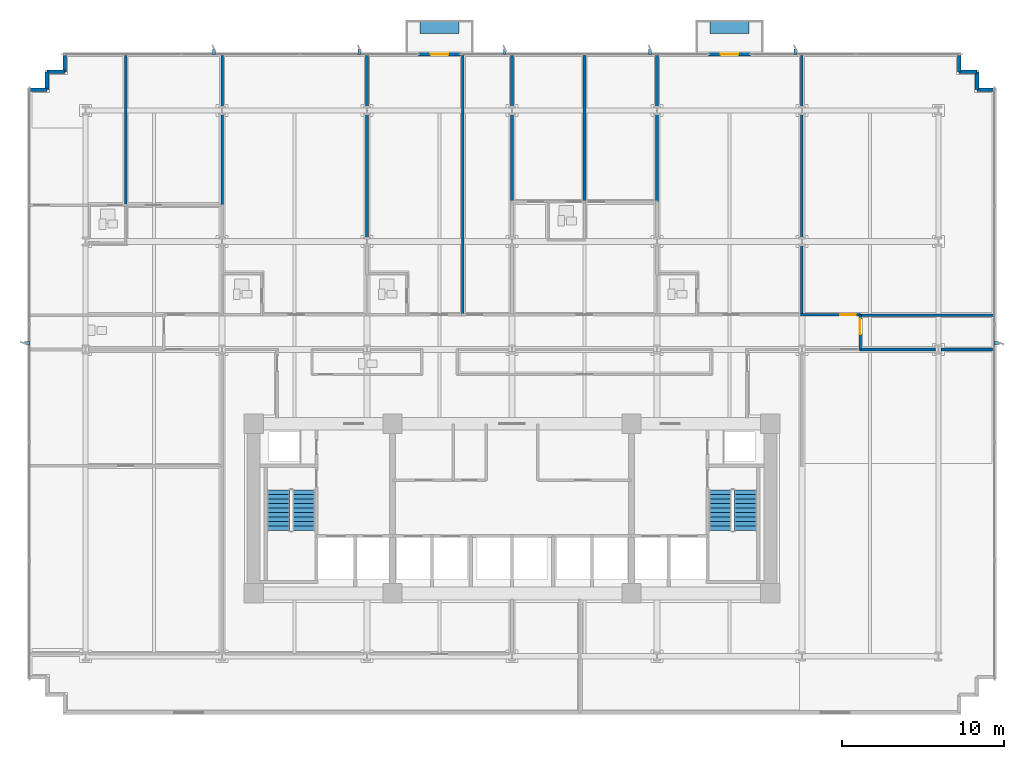
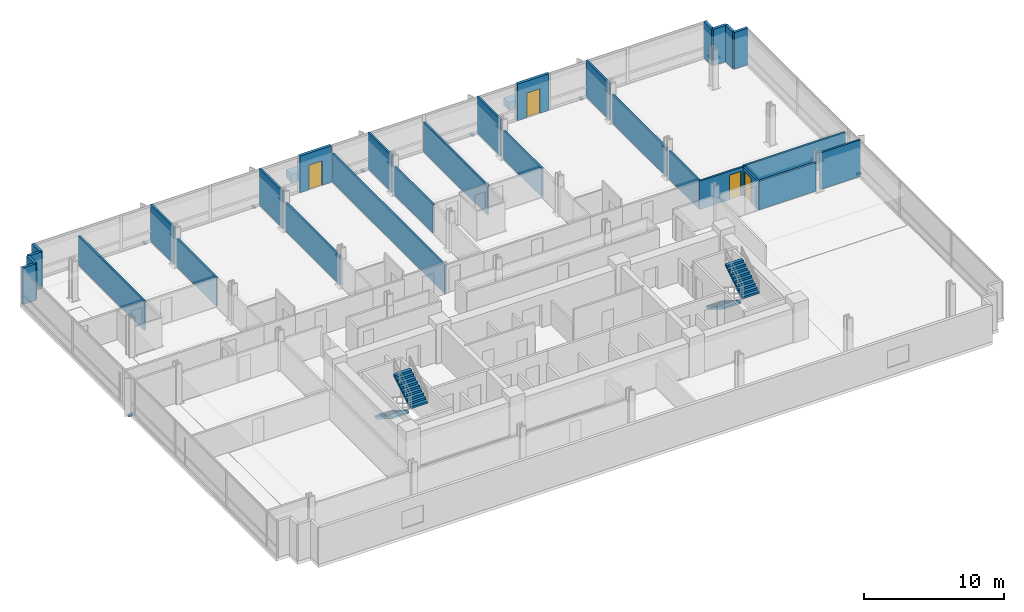
# One storey, part 11 of 15: 29 walls, 9 discrete accessories, 4 doors, 4 stair flights, 4 openings, 2 elements without a shape of their own.
"""IFC4 building model written with IfcOpenShell, lengths in metres."""

from ifc_helpers import new_model, si_unit, direction, frame, frame_2d, origin, origin_2d, place, context, subcontext, project, spatial, polyline, rectangle, outline, extrude, material, layer, layer_set, type_object, element, fill, aggregate, save


model = new_model("IFC4")

# Units and contexts
model_context = context("Model", 3, precision=1e-05, world=origin(), true_north=direction((0.0, 1.0)))
body_context = subcontext(model_context, "Body", "Model", "MODEL_VIEW")
ifc_project = project(units=[si_unit("LENGTHUNIT", "METRE"), si_unit("AREAUNIT", "SQUARE_METRE"), si_unit("VOLUMEUNIT", "CUBIC_METRE"), si_unit("PLANEANGLEUNIT", "RADIAN"), si_unit("MASSUNIT", "GRAM", prefix="KILO")], contexts=[model_context])

# Site, building, storey
site_placement = place(None, origin())
site = spatial("IfcSite", under=ifc_project, at=site_placement, CompositionType="ELEMENT")
building_placement = place(site_placement, origin())
building = spatial("IfcBuilding", under=site, at=building_placement, Name="Solmavex Isthmus Hotel", CompositionType="ELEMENT")
storey_placement = place(building_placement, frame((0.0, 0.0, 33.300048828125)))
storey = spatial("IfcBuildingStorey", under=building, at=storey_placement, Name="L08", CompositionType="ELEMENT", Elevation=33.300048828125)

# Wall, opening, door
ifc_material_1 = material(Name="Precast Concrete C40/50", Category="concrete")
ifc_layer_1 = layer(ifc_material_1, 0.25)
ifc_layer_set_1 = layer_set([ifc_layer_1], Name="Precast Concrete C40/50")
wall_type_1 = type_object("IfcWallType", Name="EW-TWR-250", PredefinedType="STANDARD", material=ifc_layer_set_1)
wall_1_placement = place(storey_placement, frame((-5.7880859375, 20.3798828125, 0.0), z_axis=(0.0, 0.0, 1.0), x_axis=(1.0, 0.0, 0.0)))
wall_1 = element("IfcWall", 1, at=wall_1_placement, inside=storey, type_object=wall_type_1, Name="Exterior Balcony Door Wall L08-2", PredefinedType="STANDARD", context=body_context, shape_type="SweptSolid", body=[
    extrude(rectangle(XDim=2.60009765625, YDim=0.239990234375, at=frame_2d((1.300048828125, 0.0))), origin(), (0.0, 0.0, 1.0), 3.18994140625),
])
opening_1_placement = place(wall_1_placement, frame((0.75, 0.0, 0.0)))
opening_1 = element("IfcOpeningElement", 2, at=opening_1_placement, cuts=wall_1, Name="Opening ED-02", PredefinedType="OPENING", context=body_context, shape_type="SweptSolid", body=[
    extrude(rectangle(XDim=1.10009765625, YDim=2.14990234375, at=frame_2d((0.550048828125, 1.074951171875))), frame((0.0, 0.1298828125, 0.0), z_axis=(0.0, -1.0, 0.0), x_axis=(1.0, 0.0, 0.0)), (0.0, 0.0, 1.0), 0.260009765625),
])
ifc_material_2 = material(Name="Aluminium alloy 6063-T6", Category="aluminium")
door_type_1 = type_object("IfcDoorType", Name="EDR-BALC-1100", OperationType="NOTDEFINED", PredefinedType="DOOR", material=ifc_material_2)
door_1_placement = place(opening_1_placement, origin())
door_1 = element("IfcDoor", 3, at=door_1_placement, inside=storey, type_object=door_type_1, Name="Balcony & Terrace Glazed Door L08-2", OperationType="SINGLE_SWING_RIGHT", OverallHeight=2.14990234375, OverallWidth=1.10009765625, PredefinedType="DOOR", context=body_context, shape_type="SweptSolid", body=[
    extrude(rectangle(XDim=1.10009765625, YDim=2.14990234375, at=frame_2d((0.550048828125, 1.074951171875))), frame((0.0, 0.02490234375, 0.0), z_axis=(0.0, -1.0, 0.0), x_axis=(1.0, 0.0, 0.0)), (0.0, 0.0, 1.0), 0.050048828125),
])
fill(opening_1, door_1)

wall_2_placement = place(storey_placement, frame((12.1640625, 20.3798828125, 0.0), z_axis=(0.0, 0.0, 1.0), x_axis=(1.0, 0.0, 0.0)))
wall_2 = element("IfcWall", 4, at=wall_2_placement, inside=storey, type_object=wall_type_1, Name="Exterior Balcony Door Wall L08-3", PredefinedType="STANDARD", context=body_context, shape_type="SweptSolid", body=[
    extrude(rectangle(XDim=2.599853515625, YDim=0.239990234375, at=frame_2d((1.2998046875, 0.0))), origin(), (0.0, 0.0, 1.0), 3.18994140625),
])
opening_2_placement = place(wall_2_placement, frame((0.75, 0.0, 0.0)))
opening_2 = element("IfcOpeningElement", 5, at=opening_2_placement, cuts=wall_2, Name="Opening ED-02", PredefinedType="OPENING", context=body_context, shape_type="SweptSolid", body=[
    extrude(rectangle(XDim=1.10009765625, YDim=2.14990234375, at=frame_2d((0.550048828125, 1.074951171875))), frame((0.0, 0.1298828125, 0.0), z_axis=(0.0, -1.0, 0.0), x_axis=(1.0, 0.0, 0.0)), (0.0, 0.0, 1.0), 0.260009765625),
])
door_2_placement = place(opening_2_placement, origin())
door_2 = element("IfcDoor", 6, at=door_2_placement, inside=storey, type_object=door_type_1, Name="Balcony & Terrace Glazed Door L08-3", OperationType="SINGLE_SWING_LEFT", OverallHeight=2.14990234375, OverallWidth=1.10009765625, PredefinedType="DOOR", context=body_context, shape_type="SweptSolid", body=[
    extrude(rectangle(XDim=1.10009765625, YDim=2.14990234375, at=frame_2d((0.550048828125, 1.074951171875))), frame((0.0, 0.02490234375, 0.0), z_axis=(0.0, -1.0, 0.0), x_axis=(1.0, 0.0, 0.0)), (0.0, 0.0, 1.0), 0.050048828125),
])
fill(opening_2, door_2)

# Walls
wall_3_placement = place(storey_placement, frame((-29.889892578125, 18.18994140625, 0.0), z_axis=(0.0, 0.0, 1.0), x_axis=(1.0, 0.0, 0.0)))
element("IfcWall", 7, at=wall_3_placement, inside=storey, type_object=wall_type_1, Name="Serrated Corner Facade Panel L08-06", PredefinedType="STANDARD", context=body_context, shape_type="SweptSolid", body=[
    extrude(rectangle(XDim=1.099853515625, YDim=0.219970703125, at=frame_2d((0.5498046875, 0.0))), origin(), (0.0, 0.0, 1.0), 3.18994140625),
])
for number, where, z_axis, x_axis, name in (
    (8, (-28.7900390625, 18.18994140625, 0.0), (0.0, 0.0, 1.0), (0.0, 1.0, 0.0), "Serrated Corner Facade Panel L08-07"),
    (9, (-28.7900390625, 19.2900390625, 0.0), (0.0, 0.0, 1.0), (1.0, 0.0, 0.0), "Serrated Corner Facade Panel L08-08"),
):
    element("IfcWall", number, at=place(storey_placement, frame(where, z_axis=z_axis, x_axis=x_axis)), inside=storey, type_object=wall_type_1, Name=name, PredefinedType="STANDARD", context=body_context, shape_type="SweptSolid", body=[
        extrude(rectangle(XDim=1.10009765625, YDim=0.219970703125, at=frame_2d((0.550048828125, 0.0))), origin(), (0.0, 0.0, 1.0), 3.18994140625),
    ])
for number, where, z_axis, x_axis, name in (
    (10, (-27.68994140625, 19.2900390625, 0.0), (0.0, 0.0, 1.0), (0.0, 1.0, 0.0), "Serrated Corner Facade Panel L08-09"),
    (11, (27.68994140625, 20.389892578125, 0.0), (0.0, 0.0, 1.0), (0.0, -1.0, 0.0), "Serrated Corner Facade Panel L08-11"),
):
    element("IfcWall", number, at=place(storey_placement, frame(where, z_axis=z_axis, x_axis=x_axis)), inside=storey, type_object=wall_type_1, Name=name, PredefinedType="STANDARD", context=body_context, shape_type="SweptSolid", body=[
        extrude(rectangle(XDim=1.099853515625, YDim=0.219970703125, at=frame_2d((0.5498046875, 0.0))), origin(), (0.0, 0.0, 1.0), 3.18994140625),
    ])
for number, where, z_axis, x_axis, name in (
    (12, (27.68994140625, 19.2900390625, 0.0), (0.0, 0.0, 1.0), (1.0, 0.0, 0.0), "Serrated Corner Facade Panel L08-12"),
    (13, (28.7900390625, 19.2900390625, 0.0), (0.0, 0.0, 1.0), (0.0, -1.0, 0.0), "Serrated Corner Facade Panel L08-13"),
):
    element("IfcWall", number, at=place(storey_placement, frame(where, z_axis=z_axis, x_axis=x_axis)), inside=storey, type_object=wall_type_1, Name=name, PredefinedType="STANDARD", context=body_context, shape_type="SweptSolid", body=[
        extrude(rectangle(XDim=1.10009765625, YDim=0.219970703125, at=frame_2d((0.550048828125, 0.0))), origin(), (0.0, 0.0, 1.0), 3.18994140625),
    ])
wall_4_placement = place(storey_placement, frame((28.7900390625, 18.18994140625, 0.0), z_axis=(0.0, 0.0, 1.0), x_axis=(1.0, 0.0, 0.0)))
element("IfcWall", 14, at=wall_4_placement, inside=storey, type_object=wall_type_1, Name="Serrated Corner Facade Panel L08-14", PredefinedType="STANDARD", context=body_context, shape_type="SweptSolid", body=[
    extrude(rectangle(XDim=1.099853515625, YDim=0.219970703125, at=frame_2d((0.5498046875, 0.0))), origin(), (0.0, 0.0, 1.0), 3.18994140625),
])
ifc_material_3 = material(Name="Gypsum plasterboard lining", Category="gypsum")
ifc_layer_2 = layer(ifc_material_3, 0.159912109375)
ifc_layer_set_2 = layer_set([ifc_layer_2], Name="Gypsum plasterboard lining")
wall_type_2 = type_object("IfcWallType", Name="IW-COMP-160", PredefinedType="PARTITIONING", material=ifc_layer_set_2)
wall_5_placement = place(storey_placement, frame((-23.916015625, 20.419921875, 0.0), z_axis=(0.0, 0.0, 1.0), x_axis=(0.0, -1.0, 0.0)))
element("IfcWall", 15, at=wall_5_placement, inside=storey, type_object=wall_type_2, Name="Interior Partition Wall W-L08-P042", PredefinedType="PARTITIONING", context=body_context, shape_type="SweptSolid", body=[
    extrude(rectangle(XDim=9.421875, YDim=0.159912109375, at=frame_2d((4.7109375, 0.0))), origin(), (0.0, 0.0, 1.0), 2.55322265625),
])
wall_6_placement = place(storey_placement, frame((-17.951904296875, 16.72509765625, 0.0), z_axis=(0.0, 0.0, 1.0), x_axis=(0.0, -1.0, 0.0)))
element("IfcWall", 16, at=wall_6_placement, inside=storey, type_object=wall_type_2, Name="Interior Partition Wall W-L08-P044", PredefinedType="PARTITIONING", context=body_context, shape_type="SweptSolid", body=[
    extrude(rectangle(XDim=5.72705078125, YDim=0.159912109375, at=frame_2d((2.863525390625, 0.0))), origin(), (0.0, 0.0, 1.0), 2.4794921875),
])
wall_7_placement = place(storey_placement, frame((-17.951904296875, 20.419921875, 0.0), z_axis=(0.0, 0.0, 1.0), x_axis=(0.0, -1.0, 0.0)))
element("IfcWall", 17, at=wall_7_placement, inside=storey, type_object=wall_type_2, Name="Interior Partition Wall W-L08-P045", PredefinedType="PARTITIONING", context=body_context, shape_type="SweptSolid", body=[
    extrude(rectangle(XDim=3.344970703125, YDim=0.159912109375, at=frame_2d((1.67236328125, 0.0))), origin(), (0.0, 0.0, 1.0), 3.18994140625),
])
wall_8_placement = place(storey_placement, frame((-8.97607421875, 16.72509765625, 0.0), z_axis=(0.0, 0.0, 1.0), x_axis=(0.0, -1.0, 0.0)))
element("IfcWall", 18, at=wall_8_placement, inside=storey, type_object=wall_type_2, Name="Interior Partition Wall W-L08-P049", PredefinedType="PARTITIONING", context=body_context, shape_type="SweptSolid", body=[
    extrude(rectangle(XDim=7.76220703125, YDim=0.159912109375, at=frame_2d((3.881103515625, 0.0))), origin(), (0.0, 0.0, 1.0), 2.4794921875),
])
wall_9_placement = place(storey_placement, frame((-8.97607421875, 20.419921875, 0.0), z_axis=(0.0, 0.0, 1.0), x_axis=(0.0, -1.0, 0.0)))
element("IfcWall", 19, at=wall_9_placement, inside=storey, type_object=wall_type_2, Name="Interior Partition Wall W-L08-P050", PredefinedType="PARTITIONING", context=body_context, shape_type="SweptSolid", body=[
    extrude(rectangle(XDim=3.344970703125, YDim=0.159912109375, at=frame_2d((1.67236328125, 0.0))), origin(), (0.0, 0.0, 1.0), 3.18994140625),
])
wall_10_placement = place(storey_placement, frame((-3.0380859375, 20.300048828125, 0.0), z_axis=(0.0, 0.0, 1.0), x_axis=(0.0, -1.0, 0.0)))
element("IfcWall", 20, at=wall_10_placement, inside=storey, type_object=wall_type_2, Name="Interior Partition Wall W-L08-P054", PredefinedType="PARTITIONING", context=body_context, shape_type="SweptSolid", body=[
    extrude(rectangle(XDim=16.090087890625, YDim=0.159912109375, at=frame_2d((8.044921875, 0.0))), origin(), (0.0, 0.0, 1.0), 2.4794921875),
])
wall_11_placement = place(storey_placement, frame((0.0, 16.72509765625, 0.0), z_axis=(0.0, 0.0, 1.0), x_axis=(0.0, -1.0, 0.0)))
element("IfcWall", 21, at=wall_11_placement, inside=storey, type_object=wall_type_2, Name="Interior Partition Wall W-L08-P057", PredefinedType="PARTITIONING", context=body_context, shape_type="SweptSolid", body=[
    extrude(rectangle(XDim=5.569091796875, YDim=0.159912109375, at=frame_2d((2.78466796875, 0.0))), origin(), (0.0, 0.0, 1.0), 2.4794921875),
])
wall_12_placement = place(storey_placement, frame((0.0, 20.419921875, 0.0), z_axis=(0.0, 0.0, 1.0), x_axis=(0.0, -1.0, 0.0)))
element("IfcWall", 22, at=wall_12_placement, inside=storey, type_object=wall_type_2, Name="Interior Partition Wall W-L08-P058", PredefinedType="PARTITIONING", context=body_context, shape_type="SweptSolid", body=[
    extrude(rectangle(XDim=3.344970703125, YDim=0.159912109375, at=frame_2d((1.67236328125, 0.0))), origin(), (0.0, 0.0, 1.0), 3.18994140625),
])
wall_13_placement = place(storey_placement, frame((4.488037109375, 20.300048828125, 0.0), z_axis=(0.0, 0.0, 1.0), x_axis=(0.0, -1.0, 0.0)))
element("IfcWall", 23, at=wall_13_placement, inside=storey, type_object=wall_type_2, Name="Interior Partition Wall W-L08-P067", PredefinedType="PARTITIONING", context=body_context, shape_type="SweptSolid", body=[
    extrude(rectangle(XDim=9.10205078125, YDim=0.159912109375, at=frame_2d((4.551025390625, 0.0))), origin(), (0.0, 0.0, 1.0), 2.55322265625),
])
wall_14_placement = place(storey_placement, frame((8.97607421875, 16.72509765625, 0.0), z_axis=(0.0, 0.0, 1.0), x_axis=(0.0, -1.0, 0.0)))
element("IfcWall", 24, at=wall_14_placement, inside=storey, type_object=wall_type_2, Name="Interior Partition Wall W-L08-P069", PredefinedType="PARTITIONING", context=body_context, shape_type="SweptSolid", body=[
    extrude(rectangle(XDim=5.527099609375, YDim=0.159912109375, at=frame_2d((2.763671875, 0.0))), origin(), (0.0, 0.0, 1.0), 2.4794921875),
])
wall_15_placement = place(storey_placement, frame((8.97607421875, 20.419921875, 0.0), z_axis=(0.0, 0.0, 1.0), x_axis=(0.0, -1.0, 0.0)))
element("IfcWall", 25, at=wall_15_placement, inside=storey, type_object=wall_type_2, Name="Interior Partition Wall W-L08-P070", PredefinedType="PARTITIONING", context=body_context, shape_type="SweptSolid", body=[
    extrude(rectangle(XDim=3.344970703125, YDim=0.159912109375, at=frame_2d((1.67236328125, 0.0))), origin(), (0.0, 0.0, 1.0), 3.18994140625),
])
wall_16_placement = place(storey_placement, frame((17.951904296875, 8.613037109375, 0.0), z_axis=(0.0, 0.0, 1.0), x_axis=(0.0, -1.0, 0.0)))
element("IfcWall", 26, at=wall_16_placement, inside=storey, type_object=wall_type_2, Name="Interior Partition Wall W-L08-P073", PredefinedType="PARTITIONING", context=body_context, shape_type="SweptSolid", body=[
    extrude(rectangle(XDim=4.403076171875, YDim=0.159912109375, at=frame_2d((2.20166015625, 0.0))), origin(), (0.0, 0.0, 1.0), 2.4794921875),
])
wall_17_placement = place(storey_placement, frame((17.951904296875, 16.72509765625, 0.0), z_axis=(0.0, 0.0, 1.0), x_axis=(0.0, -1.0, 0.0)))
element("IfcWall", 27, at=wall_17_placement, inside=storey, type_object=wall_type_2, Name="Interior Partition Wall W-L08-P074", PredefinedType="PARTITIONING", context=body_context, shape_type="SweptSolid", body=[
    extrude(rectangle(XDim=7.76220703125, YDim=0.159912109375, at=frame_2d((3.881103515625, 0.0))), origin(), (0.0, 0.0, 1.0), 2.4794921875),
])
wall_18_placement = place(storey_placement, frame((17.951904296875, 20.419921875, 0.0), z_axis=(0.0, 0.0, 1.0), x_axis=(0.0, -1.0, 0.0)))
element("IfcWall", 28, at=wall_18_placement, inside=storey, type_object=wall_type_2, Name="Interior Partition Wall W-L08-P075", PredefinedType="PARTITIONING", context=body_context, shape_type="SweptSolid", body=[
    extrude(rectangle(XDim=3.344970703125, YDim=0.159912109375, at=frame_2d((1.67236328125, 0.0))), origin(), (0.0, 0.0, 1.0), 3.18994140625),
])
wall_19_placement = place(storey_placement, frame((29.919921875, 4.22998046875, 0.0), z_axis=(0.0, 0.0, 1.0), x_axis=(-1.0, 0.0, 0.0)))
element("IfcWall", 29, at=wall_19_placement, inside=storey, type_object=wall_type_2, Name="Interior Partition Wall W-L08-P076", PredefinedType="PARTITIONING", context=body_context, shape_type="SweptSolid", body=[
    extrude(rectangle(XDim=8.407958984375, YDim=0.159912109375, at=frame_2d((4.2041015625, 0.0))), origin(), (0.0, 0.0, 1.0), 2.55322265625),
])
wall_20_placement = place(storey_placement, frame((26.22509765625, 2.10009765625, 0.0), z_axis=(0.0, 0.0, 1.0), x_axis=(-1.0, 0.0, 0.0)))
element("IfcWall", 30, at=wall_20_placement, inside=storey, type_object=wall_type_2, Name="Interior Partition Wall W-L08-P079", PredefinedType="PARTITIONING", context=body_context, shape_type="SweptSolid", body=[
    extrude(rectangle(XDim=4.713134765625, YDim=0.159912109375, at=frame_2d((2.3564453125, 0.0))), origin(), (0.0, 0.0, 1.0), 2.4794921875),
])
wall_21_placement = place(storey_placement, frame((29.919921875, 2.10009765625, 0.0), z_axis=(0.0, 0.0, 1.0), x_axis=(-1.0, 0.0, 0.0)))
element("IfcWall", 31, at=wall_21_placement, inside=storey, type_object=wall_type_2, Name="Interior Partition Wall W-L08-P080", PredefinedType="PARTITIONING", context=body_context, shape_type="SweptSolid", body=[
    extrude(rectangle(XDim=3.344970703125, YDim=0.159912109375, at=frame_2d((1.67236328125, 0.0))), origin(), (0.0, 0.0, 1.0), 3.18994140625),
])

# Wall, opening, door
ifc_layer_3 = layer(ifc_material_3, 0.14990234375)
ifc_layer_set_3 = layer_set([ifc_layer_3], Name="Gypsum plasterboard lining")
wall_type_3 = type_object("IfcWallType", Name="IW-CORR-150", PredefinedType="PARTITIONING", material=ifc_layer_set_3)
wall_22_placement = place(storey_placement, frame((17.8701171875, 4.25, 0.0), z_axis=(0.0, 0.0, 1.0), x_axis=(1.0, 0.0, 0.0)))
wall_22 = element("IfcWall", 32, at=wall_22_placement, inside=storey, type_object=wall_type_3, Name="Interior Partition Wall W-L08-P010", PredefinedType="PARTITIONING", context=body_context, shape_type="SweptSolid", body=[
    extrude(rectangle(XDim=3.721923828125, YDim=0.14990234375, at=frame_2d((1.86083984375, 0.0))), origin(), (0.0, 0.0, 1.0), 2.4794921875),
])
opening_3_placement = place(wall_22_placement, frame((2.456787109375, 0.0, 0.0)))
opening_3 = element("IfcOpeningElement", 33, at=opening_3_placement, cuts=wall_22, Name="Opening ID-C095", PredefinedType="OPENING", context=body_context, shape_type="SweptSolid", body=[
    extrude(rectangle(XDim=0.949951171875, YDim=2.14990234375, at=frame_2d((0.47509765625, 1.074951171875))), frame((0.0, 0.0849609375, 0.0), z_axis=(0.0, -1.0, 0.0), x_axis=(1.0, 0.0, 0.0)), (0.0, 0.0, 1.0), 0.169921875),
])
ifc_material_4 = material(Name="Hardwood timber", Category="wood")
door_type_2 = type_object("IfcDoorType", Name="IDR-FD60-0950", OperationType="NOTDEFINED", PredefinedType="DOOR", material=ifc_material_4)
door_3_placement = place(opening_3_placement, origin())
door_3 = element("IfcDoor", 34, at=door_3_placement, inside=storey, type_object=door_type_2, Name="Corporate Briefing Office Door L08-16", OperationType="SINGLE_SWING_RIGHT", OverallHeight=2.14990234375, OverallWidth=0.949951171875, PredefinedType="DOOR", context=body_context, shape_type="SweptSolid", body=[
    extrude(rectangle(XDim=0.949951171875, YDim=2.14990234375, at=frame_2d((0.47509765625, 1.074951171875))), frame((0.0, 0.02490234375, 0.0), z_axis=(0.0, -1.0, 0.0), x_axis=(1.0, 0.0, 0.0)), (0.0, 0.0, 1.0), 0.050048828125),
])
fill(opening_3, door_3)

wall_23_placement = place(storey_placement, frame((21.552001953125, 4.27001953125, 0.0), z_axis=(0.0, 0.0, 1.0), x_axis=(0.0, -1.0, 0.0)))
wall_23 = element("IfcWall", 35, at=wall_23_placement, inside=storey, type_object=wall_type_3, Name="Interior Partition Wall W-L08-P018", PredefinedType="PARTITIONING", context=body_context, shape_type="SweptSolid", body=[
    extrude(rectangle(XDim=2.2099609375, YDim=0.14990234375, at=frame_2d((1.10498046875, 0.0))), origin(), (0.0, 0.0, 1.0), 2.4794921875),
])
opening_4_placement = place(wall_23_placement, frame((0.272216796875, 0.0, 0.0)))
opening_4 = element("IfcOpeningElement", 36, at=opening_4_placement, cuts=wall_23, Name="Opening ID-C095", PredefinedType="OPENING", context=body_context, shape_type="SweptSolid", body=[
    extrude(rectangle(XDim=0.949951171875, YDim=2.14990234375, at=frame_2d((0.47509765625, 1.074951171875))), frame((0.0, 0.0849609375, 0.0), z_axis=(0.0, -1.0, 0.0), x_axis=(1.0, 0.0, 0.0)), (0.0, 0.0, 1.0), 0.169921875),
])
door_4_placement = place(opening_4_placement, origin())
door_4 = element("IfcDoor", 37, at=door_4_placement, inside=storey, type_object=door_type_2, Name="Club Reading Library Door L08-19", OperationType="SINGLE_SWING_LEFT", OverallHeight=2.14990234375, OverallWidth=0.949951171875, PredefinedType="DOOR", context=body_context, shape_type="SweptSolid", body=[
    extrude(rectangle(XDim=0.949951171875, YDim=2.14990234375, at=frame_2d((0.47509765625, 1.074951171875))), frame((0.0, 0.02490234375, 0.0), z_axis=(0.0, -1.0, 0.0), x_axis=(1.0, 0.0, 0.0)), (0.0, 0.0, 1.0), 0.050048828125),
])
fill(opening_4, door_4)

# Stair, stair flights
ifc_material_5 = material(Name="Concrete C40/50", Category="concrete")
stair_type_1 = type_object("IfcStairType", Name="STR-ST-1", PredefinedType="HALF_TURN_STAIR", material=ifc_material_5)
stair_1_placement = place(storey_placement, origin())
stair_1 = element("IfcStair", 38, at=stair_1_placement, inside=storey, type_object=stair_type_1, Name="L08 Protected Exit Stair ST-1", PredefinedType="HALF_TURN_STAIR")
stair_flight_type_1 = type_object("IfcStairFlightType", Name="SFL-ST-1", PredefinedType="STRAIGHT", material=ifc_material_5)
stair_flight_1_placement = place(storey_placement, frame((-14.449951171875, -6.60009765625, 0.0), z_axis=(0.0, 0.0, 1.0), x_axis=(0.0, -1.0, 0.0)))
stair_flight_1 = element("IfcStairFlight", 39, at=stair_flight_1_placement, type_object=stair_flight_type_1, Name="ST-1 flight 1", NumberOfRisers=10, NumberOfTreads=9, PredefinedType="STRAIGHT", RiserHeight=0.1725, TreadLength=0.28, context=body_context, shape_type="SweptSolid", body=[
    extrude(outline(polyline([(0.0, 0.0), (0.0, 0.172607421875), (0.280029296875, 0.172607421875), (0.280029296875, 0.344970703125), (0.56005859375, 0.344970703125), (0.56005859375, 0.517578125), (0.840087890625, 0.517578125), (0.840087890625, 0.68994140625), (1.1201171875, 0.68994140625), (1.1201171875, 0.862548828125), (1.39990234375, 0.862548828125), (1.39990234375, 1.034912109375), (1.679931640625, 1.034912109375), (1.679931640625, 1.20751953125), (1.9599609375, 1.20751953125), (1.9599609375, 1.3798828125), (2.239990234375, 1.3798828125), (2.239990234375, 1.552490234375), (2.52001953125, 1.552490234375), (2.52001953125, 1.72509765625), (2.52001953125, 1.37646484375), (0.285888671875, 0.0), (0.0, 0.0)])), frame((0.0, 0.699951171875, 0.0), z_axis=(0.0, -1.0, 0.0), x_axis=(1.0, 0.0, 0.0)), (0.0, 0.0, 1.0), 1.39990234375),
])
stair_flight_2_placement = place(storey_placement, frame((-12.89990234375, -9.1201171875, 1.724853515625), z_axis=(0.0, 0.0, 1.0), x_axis=(0.0, 1.0, 0.0)))
stair_flight_2 = element("IfcStairFlight", 40, at=stair_flight_2_placement, type_object=stair_flight_type_1, Name="ST-1 flight 2", NumberOfRisers=10, NumberOfTreads=9, PredefinedType="STRAIGHT", RiserHeight=0.1725, TreadLength=0.28, context=body_context, shape_type="SweptSolid", body=[
    extrude(outline(polyline([(0.0, 0.0), (0.0, 0.172607421875), (0.280029296875, 0.172607421875), (0.280029296875, 0.344970703125), (0.56005859375, 0.344970703125), (0.56005859375, 0.517578125), (0.840087890625, 0.517578125), (0.840087890625, 0.68994140625), (1.1201171875, 0.68994140625), (1.1201171875, 0.862548828125), (1.39990234375, 0.862548828125), (1.39990234375, 1.034912109375), (1.679931640625, 1.034912109375), (1.679931640625, 1.20751953125), (1.9599609375, 1.20751953125), (1.9599609375, 1.3798828125), (2.239990234375, 1.3798828125), (2.239990234375, 1.552490234375), (2.52001953125, 1.552490234375), (2.52001953125, 1.72509765625), (2.52001953125, 1.37646484375), (0.285888671875, 0.0), (0.0, 0.0)])), frame((0.0, 0.699951171875, 0.0), z_axis=(0.0, -1.0, 0.0), x_axis=(1.0, 0.0, 0.0)), (0.0, 0.0, 1.0), 1.39990234375),
])
aggregate(stair_1, [stair_flight_1, stair_flight_2])

stair_type_2 = type_object("IfcStairType", Name="STR-ST-2", PredefinedType="HALF_TURN_STAIR", material=ifc_material_5)
stair_2_placement = place(storey_placement, origin())
stair_2 = element("IfcStair", 41, at=stair_2_placement, inside=storey, type_object=stair_type_2, Name="L08 Protected Exit Stair ST-2", PredefinedType="HALF_TURN_STAIR")
stair_flight_type_2 = type_object("IfcStairFlightType", Name="SFL-ST-2", PredefinedType="STRAIGHT", material=ifc_material_5)
stair_flight_3_placement = place(storey_placement, frame((12.89990234375, -6.60009765625, 0.0), z_axis=(0.0, 0.0, 1.0), x_axis=(0.0, -1.0, 0.0)))
stair_flight_3 = element("IfcStairFlight", 42, at=stair_flight_3_placement, type_object=stair_flight_type_2, Name="ST-2 flight 1", NumberOfRisers=10, NumberOfTreads=9, PredefinedType="STRAIGHT", RiserHeight=0.1725, TreadLength=0.28, context=body_context, shape_type="SweptSolid", body=[
    extrude(outline(polyline([(0.0, 0.0), (0.0, 0.172607421875), (0.280029296875, 0.172607421875), (0.280029296875, 0.344970703125), (0.56005859375, 0.344970703125), (0.56005859375, 0.517578125), (0.840087890625, 0.517578125), (0.840087890625, 0.68994140625), (1.1201171875, 0.68994140625), (1.1201171875, 0.862548828125), (1.39990234375, 0.862548828125), (1.39990234375, 1.034912109375), (1.679931640625, 1.034912109375), (1.679931640625, 1.20751953125), (1.9599609375, 1.20751953125), (1.9599609375, 1.3798828125), (2.239990234375, 1.3798828125), (2.239990234375, 1.552490234375), (2.52001953125, 1.552490234375), (2.52001953125, 1.72509765625), (2.52001953125, 1.37646484375), (0.285888671875, 0.0), (0.0, 0.0)])), frame((0.0, 0.699951171875, 0.0), z_axis=(0.0, -1.0, 0.0), x_axis=(1.0, 0.0, 0.0)), (0.0, 0.0, 1.0), 1.39990234375),
])
stair_flight_4_placement = place(storey_placement, frame((14.449951171875, -9.1201171875, 1.724853515625), z_axis=(0.0, 0.0, 1.0), x_axis=(0.0, 1.0, 0.0)))
stair_flight_4 = element("IfcStairFlight", 43, at=stair_flight_4_placement, type_object=stair_flight_type_2, Name="ST-2 flight 2", NumberOfRisers=10, NumberOfTreads=9, PredefinedType="STRAIGHT", RiserHeight=0.1725, TreadLength=0.28, context=body_context, shape_type="SweptSolid", body=[
    extrude(outline(polyline([(0.0, 0.0), (0.0, 0.172607421875), (0.280029296875, 0.172607421875), (0.280029296875, 0.344970703125), (0.56005859375, 0.344970703125), (0.56005859375, 0.517578125), (0.840087890625, 0.517578125), (0.840087890625, 0.68994140625), (1.1201171875, 0.68994140625), (1.1201171875, 0.862548828125), (1.39990234375, 0.862548828125), (1.39990234375, 1.034912109375), (1.679931640625, 1.034912109375), (1.679931640625, 1.20751953125), (1.9599609375, 1.20751953125), (1.9599609375, 1.3798828125), (2.239990234375, 1.3798828125), (2.239990234375, 1.552490234375), (2.52001953125, 1.552490234375), (2.52001953125, 1.72509765625), (2.52001953125, 1.37646484375), (0.285888671875, 0.0), (0.0, 0.0)])), frame((0.0, 0.699951171875, 0.0), z_axis=(0.0, -1.0, 0.0), x_axis=(1.0, 0.0, 0.0)), (0.0, 0.0, 1.0), 1.39990234375),
])
aggregate(stair_2, [stair_flight_3, stair_flight_4])

# Discrete accessories
ifc_material_6 = material(Name="Steel ASTM A572 Grade 50", Category="steel")
discrete_accessory_type_1 = type_object("IfcDiscreteAccessoryType", Name="ACC-BRK-FIN", PredefinedType="BRACKET", material=ifc_material_6)
for number, where, z_axis, x_axis, name in (
    (44, (-18.449951171875, 20.52001953125, -0.169921875), (0.0, 0.0, 1.0), (0.0, 1.0, 0.0), "Facade Fin Support Bracket L08-N1"),
    (45, (-9.449951171875, 20.52001953125, -0.169921875), (0.0, 0.0, 1.0), (0.0, 1.0, 0.0), "Facade Fin Support Bracket L08-N2"),
    (46, (-0.449951171875, 20.52001953125, -0.169921875), (0.0, 0.0, 1.0), (0.0, 1.0, 0.0), "Facade Fin Support Bracket L08-N3"),
    (47, (8.550048828125, 20.52001953125, -0.169921875), (0.0, 0.0, 1.0), (0.0, 1.0, 0.0), "Facade Fin Support Bracket L08-N4"),
    (48, (17.550048828125, 20.52001953125, -0.169921875), (0.0, 0.0, 1.0), (0.0, 1.0, 0.0), "Facade Fin Support Bracket L08-N5"),
    (49, (-30.02001953125, 2.5, -0.169921875), (0.0, 0.0, 1.0), (-1.0, 0.0, 0.0), "Facade Fin Support Bracket L08-W1"),
    (50, (30.02001953125, 2.5, -0.169921875), (0.0, 0.0, 1.0), (1.0, 0.0, 0.0), "Facade Fin Support Bracket L08-E1"),
):
    element("IfcDiscreteAccessory", number, at=place(storey_placement, frame(where, z_axis=z_axis, x_axis=x_axis)), inside=storey, type_object=discrete_accessory_type_1, Name=name, PredefinedType="BRACKET", context=body_context, shape_type="SweptSolid", body=[
        extrude(rectangle(XDim=0.340087890625, YDim=0.179931640625, at=origin_2d()), origin(), (0.0, 0.0, 1.0), 0.159912109375),
    ])
discrete_accessory_type_2 = type_object("IfcDiscreteAccessoryType", Name="ACC-PLN-BALC", PredefinedType="USERDEFINED", material=ifc_material_1)
for number, where, z_axis, x_axis, name in (
    (51, (-4.488037109375, 22.050048828125, 0.0), (0.0, 0.0, 1.0), (1.0, 0.0, 0.0), "Tree-Balcony Architectural Planter L08-B1"),
    (52, (13.464111328125, 22.050048828125, 0.0), (0.0, 0.0, 1.0), (1.0, 0.0, 0.0), "Tree-Balcony Architectural Planter L08-B2"),
):
    element("IfcDiscreteAccessory", number, at=place(storey_placement, frame(where, z_axis=z_axis, x_axis=x_axis)), inside=storey, type_object=discrete_accessory_type_2, Name=name, ObjectType="PLANTER", PredefinedType="USERDEFINED", context=body_context, shape_type="SweptSolid", body=[
        extrude(rectangle(XDim=2.39990234375, YDim=0.75, at=origin_2d()), origin(), (0.0, 0.0, 1.0), 0.699951171875),
    ])

save(model, "model.ifc")
